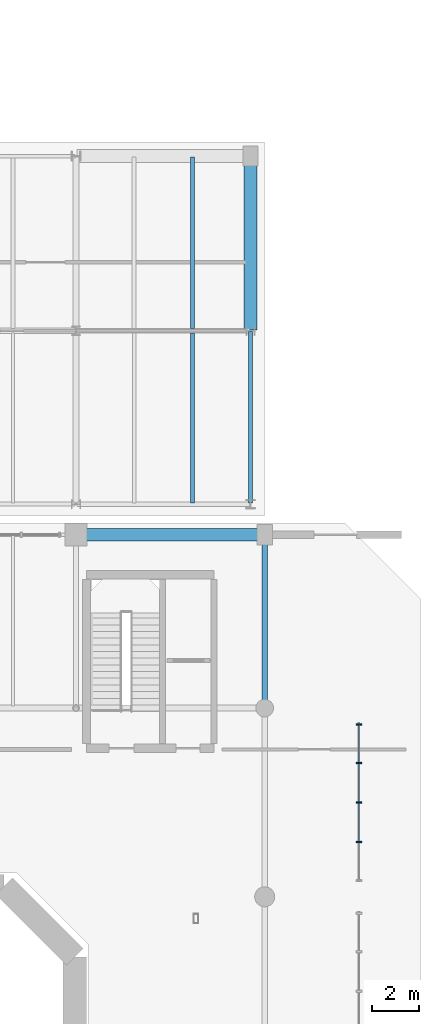
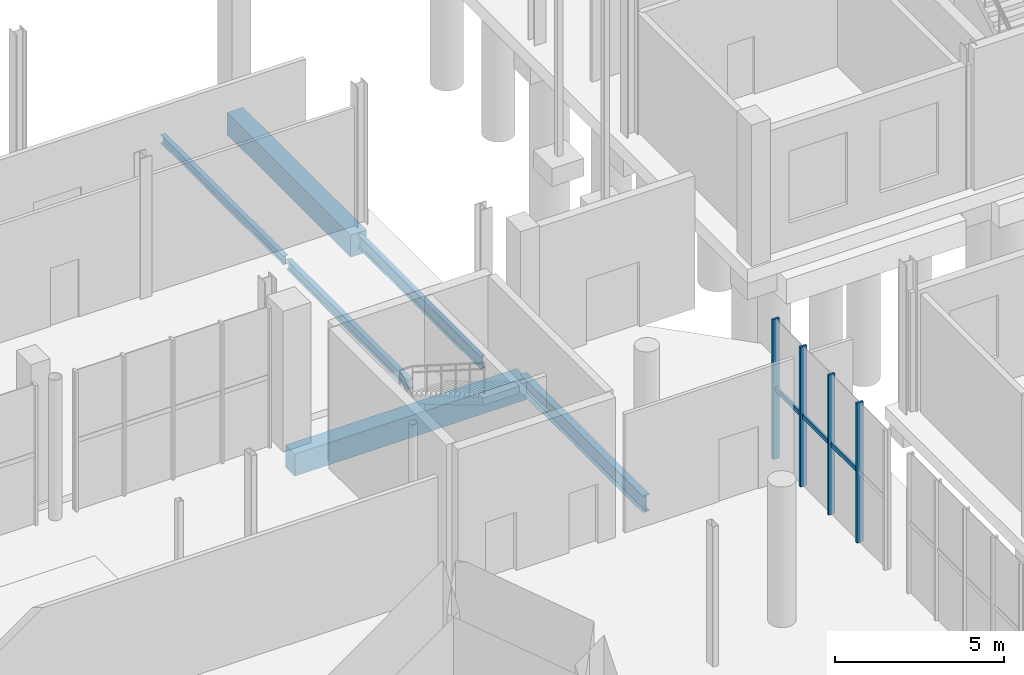
# One storey, part 49 of 87: 7 members, 6 beams, 1 element without a shape of its own.
"""IFC4 building model written with IfcOpenShell, lengths in metres."""

import ifcopenshell
import ifcopenshell.guid

model = None  # the IFC model being written
_history = None  # IfcOwnerHistory: only IFC2X3 demands one
_inside = {}  # id of a spatial element -> (the spatial element, [elements in it])
_under = {}  # id of a project, library or spatial element -> (it, [spatial elements below it])
_declared = {}  # id of a project -> (the project, [libraries it declares])
_typed = {}  # id of a type object -> (the type object, [elements of that type])
_made_of = {}  # id of a material, layer set ... -> (it, [elements and type objects made of it])


def new_model(schema):
    """Start an empty IFC model of exactly this schema.

    Asked for "IFC4X3", IfcOpenShell would pick the latest addendum, in which some entities
    have other attributes; the version numbers below select the first issue.
    IFC2X3 requires an IfcOwnerHistory on every rooted entity: one is made here for all.
    """
    global model, _history
    if schema == "IFC4X3":
        model = ifcopenshell.file(schema_version=(4, 3, 0, 0))
    else:
        model = ifcopenshell.file(schema=schema)
    _inside.clear()
    _under.clear()
    _declared.clear()
    _typed.clear()
    _made_of.clear()
    _history = None
    if model.schema == "IFC2X3":
        org = make("IfcOrganization", Name="unknown")
        user = make(
            "IfcPersonAndOrganization",
            ThePerson=make("IfcPerson", FamilyName="unknown"),
            TheOrganization=org,
        )
        app = make(
            "IfcApplication",
            ApplicationDeveloper=org,
            Version="unknown",
            ApplicationFullName="unknown",
            ApplicationIdentifier="unknown",
        )
        _history = make(
            "IfcOwnerHistory",
            OwningUser=user,
            OwningApplication=app,
            ChangeAction="ADDED",
            CreationDate=0,
        )
    return model


def make(cls, **values):
    """One entity of the class cls with the attributes given. An attribute that is None is left unset."""
    return model.create_entity(
        cls, **{name: value for name, value in values.items() if value is not None}
    )


def rooted(cls, **values):
    """An entity with a GlobalId (a new one), such as an element, a storey or a relation."""
    return make(cls, GlobalId=ifcopenshell.guid.new(), OwnerHistory=_history, **values)


def si_unit(unit_type, name, prefix=None):
    """IfcSIUnit, for example si_unit("LENGTHUNIT", "METRE", prefix="MILLI")."""
    return make("IfcSIUnit", UnitType=unit_type, Prefix=prefix, Name=name)


def assignment(units):
    """IfcUnitAssignment: the units of a project."""
    return None if units is None else make("IfcUnitAssignment", Units=units)


def point(xyz):
    """IfcCartesianPoint."""
    return None if xyz is None else make("IfcCartesianPoint", Coordinates=xyz)


def direction(xyz):
    """IfcDirection."""
    return None if xyz is None else make("IfcDirection", DirectionRatios=xyz)


def frame(location, z_axis=None, x_axis=None):
    """IfcAxis2Placement3D, a coordinate frame: its origin and axes. An axis left out is left unset."""
    return make(
        "IfcAxis2Placement3D",
        Location=point(location),
        Axis=direction(z_axis),
        RefDirection=direction(x_axis),
    )


def frame_2d(location, x_axis=None):
    """IfcAxis2Placement2D, a coordinate frame in the plane: its origin and x axis."""
    return make(
        "IfcAxis2Placement2D", Location=point(location), RefDirection=direction(x_axis)
    )


def origin():
    """The frame at (0, 0, 0) with its axes left unset."""
    return frame((0.0, 0.0, 0.0))


def origin_2d():
    """The frame at (0, 0) in the plane with its x axis left unset."""
    return frame_2d((0.0, 0.0))


def place(relative_to, where):
    """IfcLocalPlacement: puts the frame where relative to a parent placement (None: the world)."""
    return make(
        "IfcLocalPlacement", PlacementRelTo=relative_to, RelativePlacement=where
    )


def context(
    kind, dimensions, precision=None, world=None, true_north=None, identifier=None
):
    """IfcGeometricRepresentationContext, for example the 3D "Model" context."""
    return make(
        "IfcGeometricRepresentationContext",
        ContextIdentifier=identifier,
        ContextType=kind,
        CoordinateSpaceDimension=dimensions,
        Precision=precision,
        WorldCoordinateSystem=world,
        TrueNorth=true_north,
    )


def subcontext(parent, identifier, kind, view, scale=None):
    """IfcGeometricRepresentationSubContext, for example "Body" below "Model"."""
    return make(
        "IfcGeometricRepresentationSubContext",
        ContextIdentifier=identifier,
        ContextType=kind,
        ParentContext=parent,
        TargetScale=scale,
        TargetView=view,
    )


def project(units=None, contexts=None):
    """IfcProject with its units and contexts."""
    return rooted(
        "IfcProject",
        Name="project",
        RepresentationContexts=contexts,
        UnitsInContext=assignment(units),
    )


def spatial(cls, under=None, at=None, **own):
    """A site, building, storey or space (cls), placed at a placement, below another one or the project."""
    s = rooted(cls, ObjectPlacement=at, **own)
    if under is not None:
        _under.setdefault(under.id(), (under, []))[1].append(s)
    return s


def profile(cls, at=None, kind="AREA", **sizes):
    """A parametric profile (cls). Its sizes go by their IFC names, for example OverallWidth=200.0."""
    return make(cls, ProfileType=kind, Position=at, **sizes)


def rectangle(**sizes):
    """IfcRectangleProfileDef."""
    return profile("IfcRectangleProfileDef", **sizes)


def i_section(**sizes):
    """IfcIShapeProfileDef."""
    return profile("IfcIShapeProfileDef", **sizes)


def extrude(swept, where, along, depth):
    """IfcExtrudedAreaSolid: the profile swept, set in the frame where, extruded along a direction by depth."""
    return make(
        "IfcExtrudedAreaSolid",
        SweptArea=swept,
        Position=where,
        ExtrudedDirection=direction(along),
        Depth=depth,
    )


def shape(context_of_items, identifier, shape_type, items):
    """IfcShapeRepresentation: the items that make up one representation, for example the "Body"."""
    return make(
        "IfcShapeRepresentation",
        ContextOfItems=context_of_items,
        RepresentationIdentifier=identifier,
        RepresentationType=shape_type,
        Items=items,
    )


def material(Name=None, Category=None):
    """IfcMaterial."""
    return make("IfcMaterial", Name=Name, Category=Category)


def material_profile(
    of_material, cross_section, Name=None, Category=None, Priority=None
):
    """IfcMaterialProfile: a cross section and its material."""
    return make(
        "IfcMaterialProfile",
        Name=Name,
        Material=of_material,
        Profile=cross_section,
        Priority=Priority,
        Category=Category,
    )


def profile_set(profiles, Name=None, composite=None):
    """IfcMaterialProfileSet."""
    return make(
        "IfcMaterialProfileSet",
        Name=Name,
        MaterialProfiles=profiles,
        CompositeProfile=composite,
    )


def made_of(thing, what):
    """Note that an element or type object is made of a material, layer set ...; save() writes the relation."""
    if what is not None:
        _made_of.setdefault(what.id(), (what, []))[1].append(thing)
    return thing


def type_object(cls, material=None, **own):
    """A type object (cls), such as IfcWallType, which elements share."""
    return made_of(rooted(cls, **own), material)


def element(
    cls,
    number,
    at=None,
    inside=None,
    cuts=None,
    type_object=None,
    material=None,
    context=None,
    identifier="Body",
    shape_type=None,
    held_by="IfcProductDefinitionShape",
    body=None,
    shapes=None,
    **own,
):
    """One element of the class cls, such as IfcWall. Its Tag is "e" and its number.

    at: its placement. inside: the storey or other place that contains it. cuts: it is an
    opening in that element (IfcRelVoidsElement). A single representation is given by context,
    identifier, shape_type and body (its items); several are given by shapes. held_by: the class
    of the entity that holds the representations. save() writes the other relations.
    """
    e = rooted(cls, Tag="e%d" % number, ObjectPlacement=at, **own)
    if body is not None:
        shapes = [shape(context, identifier, shape_type, body)]
    if shapes is not None:
        e.Representation = make(held_by, Representations=shapes)
    if inside is not None:
        _inside.setdefault(inside.id(), (inside, []))[1].append(e)
    if cuts is not None:
        rooted(
            "IfcRelVoidsElement", RelatingBuildingElement=cuts, RelatedOpeningElement=e
        )
    if type_object is not None:
        _typed.setdefault(type_object.id(), (type_object, []))[1].append(e)
    return made_of(e, material)


def aggregate(whole, parts):
    """IfcRelAggregates: a whole, such as a stair, and the parts it consists of."""
    return rooted("IfcRelAggregates", RelatingObject=whole, RelatedObjects=parts)


def save(model, path):
    """Write the relations noted so far, then the file.

    IfcRelAggregates (storeys below a building ...), IfcRelContainedInSpatialStructure (elements
    in a storey), IfcRelDefinesByType, IfcRelAssociatesMaterial and IfcRelDeclares: one each for
    every whole, place, type object, material and project.
    """
    for whole, parts in _under.values():
        aggregate(whole, parts)
    for where, things in _inside.values():
        rooted(
            "IfcRelContainedInSpatialStructure",
            RelatedElements=things,
            RelatingStructure=where,
        )
    for kind, things in _typed.values():
        rooted("IfcRelDefinesByType", RelatedObjects=things, RelatingType=kind)
    for what, things in _made_of.values():
        rooted("IfcRelAssociatesMaterial", RelatedObjects=things, RelatingMaterial=what)
    for by, libraries in _declared.values():
        rooted("IfcRelDeclares", RelatingContext=by, RelatedDefinitions=libraries)
    model.write(path)


model = new_model("IFC4")

# Units and contexts
model_context = context("Model", 3, precision=1e-05, world=origin(), true_north=direction((0.0, 1.0)))
body_context = subcontext(model_context, "Body", "Model", "MODEL_VIEW")
ifc_project = project(units=[si_unit("LENGTHUNIT", "METRE"), si_unit("AREAUNIT", "SQUARE_METRE"), si_unit("VOLUMEUNIT", "CUBIC_METRE"), si_unit("PLANEANGLEUNIT", "RADIAN"), si_unit("MASSUNIT", "GRAM", prefix="KILO")], contexts=[model_context])

# Site, building, storey
site_placement = place(None, origin())
site = spatial("IfcSite", under=ifc_project, at=site_placement, CompositionType="ELEMENT")
building_placement = place(site_placement, origin())
building = spatial("IfcBuilding", under=site, at=building_placement, Name="Brisemont Oceanarium", CompositionType="ELEMENT")
storey_placement = place(building_placement, origin())
storey = spatial("IfcBuildingStorey", under=building, at=storey_placement, Name="L00", CompositionType="ELEMENT", Elevation=0.0)

# Beams
ifc_material_1 = material(Name="Concrete C40/50", Category="concrete")
ifc_material_profile_1 = material_profile(ifc_material_1, rectangle(XDim=0.550048828125, YDim=0.800048828125, at=origin_2d()), Name="RC-BM-550X800")
ifc_profile_set_1 = profile_set([ifc_material_profile_1], Name="Concrete C40/50")
beam_type_1 = type_object("IfcBeamType", Name="BM-RC550X800", PredefinedType="SPANDREL", material=ifc_profile_set_1)
beam_1_placement = place(storey_placement, frame((96.0400390625, 79.35009765625, -0.780029296875), z_axis=(1.0, 0.0, 0.0), x_axis=(0.0, 1.0, 0.0)))
element("IfcBeam", 1, at=beam_1_placement, inside=storey, type_object=beam_type_1, Name="V1 L00 EW girder", PredefinedType="SPANDREL", context=body_context, shape_type="SweptSolid", body=[
    extrude(rectangle(XDim=0.550048828125, YDim=0.800048828125, at=origin_2d()), origin(), (0.0, 0.0, 1.0), 7.919921875),
])
beam_2_placement = place(storey_placement, frame((103.39990234375, 88.0400390625, -0.780029296875), z_axis=(0.0, 1.0, 0.0), x_axis=(-1.0, 0.0, 0.0)))
element("IfcBeam", 2, at=beam_2_placement, inside=storey, type_object=beam_type_1, Name="V7E L00 NS girder", PredefinedType="SPANDREL", context=body_context, shape_type="SweptSolid", body=[
    extrude(rectangle(XDim=0.550048828125, YDim=0.800048828125, at=origin_2d()), origin(), (0.0, 0.0, 1.0), 7.320068359375),
])
ifc_material_2 = material(Name="Structural Steel ASTM A992 Gr.50", Category="steel")
ifc_material_profile_2 = material_profile(ifc_material_2, i_section(OverallWidth=0.1650390625, OverallDepth=0.31005859375, WebThickness=0.005859375, FlangeThickness=0.009765625, FilletRadius=0.008056640625, at=origin_2d()), Name="W12X26")
ifc_profile_set_2 = profile_set([ifc_material_profile_2], Name="Structural Steel ASTM A992 Gr.50")
beam_type_2 = type_object("IfcBeamType", Name="BM-W12X26", PredefinedType="JOIST", material=ifc_profile_set_2)
beam_3_placement = place(storey_placement, frame((100.933349609375, 88.090087890625, -0.534912109375), z_axis=(0.0, 1.0, 0.0), x_axis=(-1.0, 0.0, 0.0)))
element("IfcBeam", 3, at=beam_3_placement, inside=storey, type_object=beam_type_2, Name="V7E L00 secondary floor beam", PredefinedType="JOIST", context=body_context, shape_type="SweptSolid", body=[
    extrude(i_section(OverallWidth=0.1650390625, OverallDepth=0.31005859375, WebThickness=0.005859375, FlangeThickness=0.009765625, FilletRadius=0.008056640625, at=origin_2d()), origin(), (0.0, 0.0, 1.0), 7.27001953125),
])
ifc_material_3 = material(Name="Structural Steel ASTM A992 Gr.50", Category="steel")
ifc_material_profile_3 = material_profile(ifc_material_3, i_section(OverallWidth=0.1708984375, OverallDepth=0.35107421875, WebThickness=0.0068359375, FlangeThickness=0.009765625, FilletRadius=0.010009765625, at=origin_2d()), Name="W14X30")
ifc_profile_set_3 = profile_set([ifc_material_profile_3], Name="Structural Steel ASTM A992 Gr.50")
beam_type_3 = type_object("IfcBeamType", Name="BM-W14X30", PredefinedType="JOIST", material=ifc_profile_set_3)
beam_4_placement = place(storey_placement, frame((100.933349609375, 80.68994140625, -0.555419921875), z_axis=(0.0, 1.0, 0.0), x_axis=(-1.0, 0.0, 0.0)))
element("IfcBeam", 4, at=beam_4_placement, inside=storey, type_object=beam_type_3, Name="V7E L00 secondary floor beam", PredefinedType="JOIST", context=body_context, shape_type="SweptSolid", body=[
    extrude(i_section(OverallWidth=0.1708984375, OverallDepth=0.35107421875, WebThickness=0.0068359375, FlangeThickness=0.009765625, FilletRadius=0.010009765625, at=origin_2d()), origin(), (0.0, 0.0, 1.0), 7.219970703125),
])
ifc_material_4 = material(Name="Structural Steel ASTM A992 Gr.50", Category="steel")
ifc_material_profile_4 = material_profile(ifc_material_4, i_section(OverallWidth=0.154052734375, OverallDepth=0.458984375, WebThickness=0.009033203125, FlangeThickness=0.015380859375, FilletRadius=0.010986328125, at=origin_2d()), Name="W18X46")
ifc_profile_set_4 = profile_set([ifc_material_profile_4], Name="Structural Steel ASTM A992 Gr.50")
beam_type_4 = type_object("IfcBeamType", Name="BM-W18X46", PredefinedType="SPANDREL", material=ifc_profile_set_4)
beam_5_placement = place(storey_placement, frame((103.39990234375, 80.68994140625, -0.609619140625), z_axis=(0.0, 1.0, 0.0), x_axis=(-1.0, 0.0, 0.0)))
element("IfcBeam", 5, at=beam_5_placement, inside=storey, type_object=beam_type_4, Name="V7E L00 NS girder", PredefinedType="SPANDREL", context=body_context, shape_type="SweptSolid", body=[
    extrude(i_section(OverallWidth=0.154052734375, OverallDepth=0.458984375, WebThickness=0.009033203125, FlangeThickness=0.015380859375, FilletRadius=0.010986328125, at=origin_2d()), origin(), (0.0, 0.0, 1.0), 7.27001953125),
])
ifc_material_5 = material(Name="Structural Steel ASTM A992 Gr.50", Category="steel")
ifc_material_profile_5 = material_profile(ifc_material_5, i_section(OverallWidth=0.22802734375, OverallDepth=0.60205078125, WebThickness=0.010498046875, FlangeThickness=0.014892578125, FilletRadius=0.012939453125, at=origin_2d()), Name="W24X68")
ifc_profile_set_5 = profile_set([ifc_material_profile_5], Name="Structural Steel ASTM A992 Gr.50")
beam_type_5 = type_object("IfcBeamType", Name="BM-W24X68", PredefinedType="BEAM", material=ifc_profile_set_5)
beam_6_placement = place(storey_placement, frame((104.0, 72.0400390625, -0.680908203125), z_axis=(0.0, 1.0, 0.0), x_axis=(-1.0, 0.0, 0.0)))
element("IfcBeam", 6, at=beam_6_placement, inside=storey, type_object=beam_type_5, Name="V1 L00 NS girder", PredefinedType="BEAM", context=body_context, shape_type="SweptSolid", body=[
    extrude(i_section(OverallWidth=0.22802734375, OverallDepth=0.60205078125, WebThickness=0.010498046875, FlangeThickness=0.014892578125, FilletRadius=0.012939453125, at=origin_2d()), origin(), (0.0, 0.0, 1.0), 7.27001953125),
])

# Curtain wall, members
ifc_material_6 = material(Name="Anodized Extruded Aluminum 6063-T6", Category="aluminium")
curtain_wall_type = type_object("IfcCurtainWallType", Name="CW-ROT-69X50", PredefinedType="NOTDEFINED", material=ifc_material_6)
curtain_wall_placement = place(storey_placement, origin())
curtain_wall = element("IfcCurtainWall", 7, at=curtain_wall_placement, inside=storey, type_object=curtain_wall_type, Name="CW-01 curtain wall CW-V1-E-L00-04", PredefinedType="NOTDEFINED")
ifc_material_7 = material(Name="Anodized Extruded Aluminum 6063-T6", Category="aluminium")
ifc_material_profile_6 = material_profile(ifc_material_7, rectangle(XDim=0.074951171875, YDim=0.219970703125, at=origin_2d()), Name="CWM-75X220")
ifc_profile_set_6 = profile_set([ifc_material_profile_6], Name="Anodized Extruded Aluminum 6063-T6")
member_type_1 = type_object("IfcMemberType", Name="MEM-CWM-75", PredefinedType="MULLION", material=ifc_profile_set_6)
member_1_placement = place(storey_placement, frame((108.0, 66.324951171875, 0.0), z_axis=(0.0, 0.0, 1.0), x_axis=(0.0, 1.0, 0.0)))
member_1 = element("IfcMember", 8, at=member_1_placement, type_object=member_type_1, Name="CW-V1-E-L00-04 mullion 2", PredefinedType="MULLION", context=body_context, shape_type="SweptSolid", body=[
    extrude(rectangle(XDim=0.074951171875, YDim=0.219970703125, at=origin_2d()), origin(), (0.0, 0.0, 1.0), 5.06005859375),
])
member_2_placement = place(storey_placement, frame((108.0, 68.0, 0.0), z_axis=(0.0, 0.0, 1.0), x_axis=(0.0, 1.0, 0.0)))
member_2 = element("IfcMember", 9, at=member_2_placement, type_object=member_type_1, Name="CW-V1-E-L00-04 mullion 3", PredefinedType="MULLION", context=body_context, shape_type="SweptSolid", body=[
    extrude(rectangle(XDim=0.074951171875, YDim=0.219970703125, at=origin_2d()), origin(), (0.0, 0.0, 1.0), 5.06005859375),
])
member_3_placement = place(storey_placement, frame((108.0, 69.675048828125, 0.0), z_axis=(0.0, 0.0, 1.0), x_axis=(0.0, 1.0, 0.0)))
member_3 = element("IfcMember", 10, at=member_3_placement, type_object=member_type_1, Name="CW-V1-E-L00-04 mullion 4", PredefinedType="MULLION", context=body_context, shape_type="SweptSolid", body=[
    extrude(rectangle(XDim=0.074951171875, YDim=0.219970703125, at=origin_2d()), origin(), (0.0, 0.0, 1.0), 5.06005859375),
])
member_4_placement = place(storey_placement, frame((108.0, 71.304931640625, 0.0), z_axis=(0.0, 0.0, 1.0), x_axis=(0.0, 1.0, 0.0)))
member_4 = element("IfcMember", 11, at=member_4_placement, type_object=member_type_1, Name="CW-V1-E-L00-04 mullion 5", PredefinedType="MULLION", context=body_context, shape_type="SweptSolid", body=[
    extrude(rectangle(XDim=0.074951171875, YDim=0.219970703125, at=origin_2d()), origin(), (0.0, 0.0, 1.0), 5.06005859375),
])
ifc_material_8 = material(Name="Anodized Extruded Aluminum 6063-T6", Category="aluminium")
ifc_material_profile_7 = material_profile(ifc_material_8, rectangle(XDim=0.074951171875, YDim=0.1650390625, at=origin_2d()), Name="CWT-75X165")
ifc_profile_set_7 = profile_set([ifc_material_profile_7], Name="Anodized Extruded Aluminum 6063-T6")
member_type_2 = type_object("IfcMemberType", Name="MEM-CWT-75", PredefinedType="USERDEFINED", material=ifc_profile_set_7)
member_5_placement = place(storey_placement, frame((108.0, 66.340087890625, 2.530029296875), z_axis=(0.0, 1.0, 0.0), x_axis=(-1.0, 0.0, 0.0)))
member_5 = element("IfcMember", 12, at=member_5_placement, type_object=member_type_2, Name="CW-V1-E-L00-04 transom 2.1", ObjectType="TRANSOM", PredefinedType="USERDEFINED", context=body_context, shape_type="SweptSolid", body=[
    extrude(rectangle(XDim=0.074951171875, YDim=0.1650390625, at=origin_2d()), origin(), (0.0, 0.0, 1.0), 1.64501953125),
])
member_6_placement = place(storey_placement, frame((108.0, 68.014892578125, 2.530029296875), z_axis=(0.0, 1.0, 0.0), x_axis=(-1.0, 0.0, 0.0)))
member_6 = element("IfcMember", 13, at=member_6_placement, type_object=member_type_2, Name="CW-V1-E-L00-04 transom 3.1", ObjectType="TRANSOM", PredefinedType="USERDEFINED", context=body_context, shape_type="SweptSolid", body=[
    extrude(rectangle(XDim=0.074951171875, YDim=0.1650390625, at=origin_2d()), origin(), (0.0, 0.0, 1.0), 1.64501953125),
])
member_7_placement = place(storey_placement, frame((108.0, 69.68994140625, 2.530029296875), z_axis=(0.0, 1.0, 0.0), x_axis=(-1.0, 0.0, 0.0)))
member_7 = element("IfcMember", 14, at=member_7_placement, type_object=member_type_2, Name="CW-V1-E-L00-04 transom 4.1", ObjectType="TRANSOM", PredefinedType="USERDEFINED", context=body_context, shape_type="SweptSolid", body=[
    extrude(rectangle(XDim=0.074951171875, YDim=0.1650390625, at=origin_2d()), origin(), (0.0, 0.0, 1.0), 1.64501953125),
])
aggregate(curtain_wall, [member_1, member_2, member_3, member_4, member_5, member_6, member_7])

save(model, "model.ifc")
